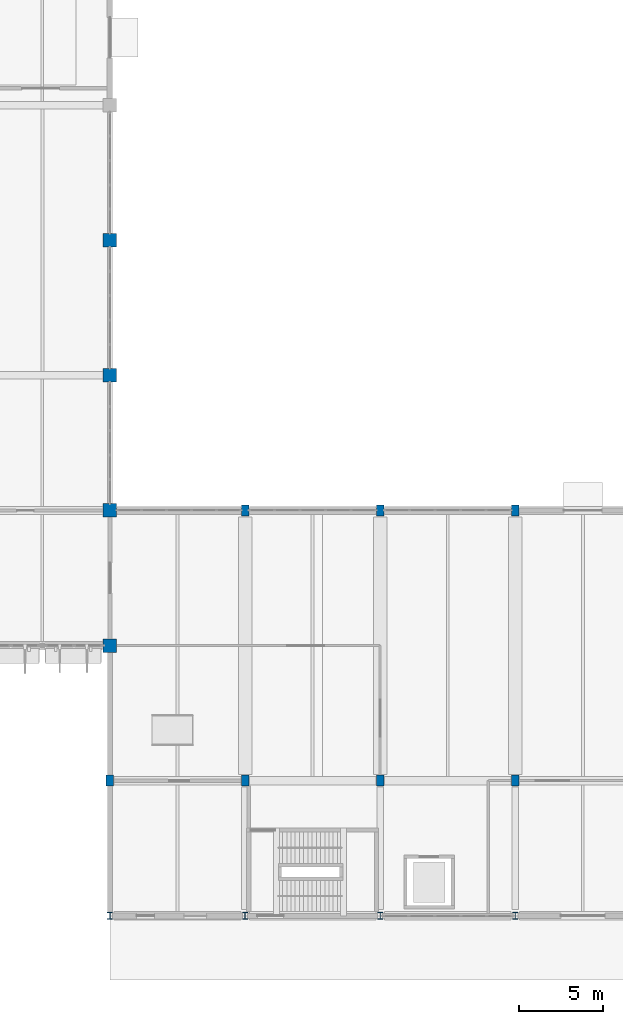
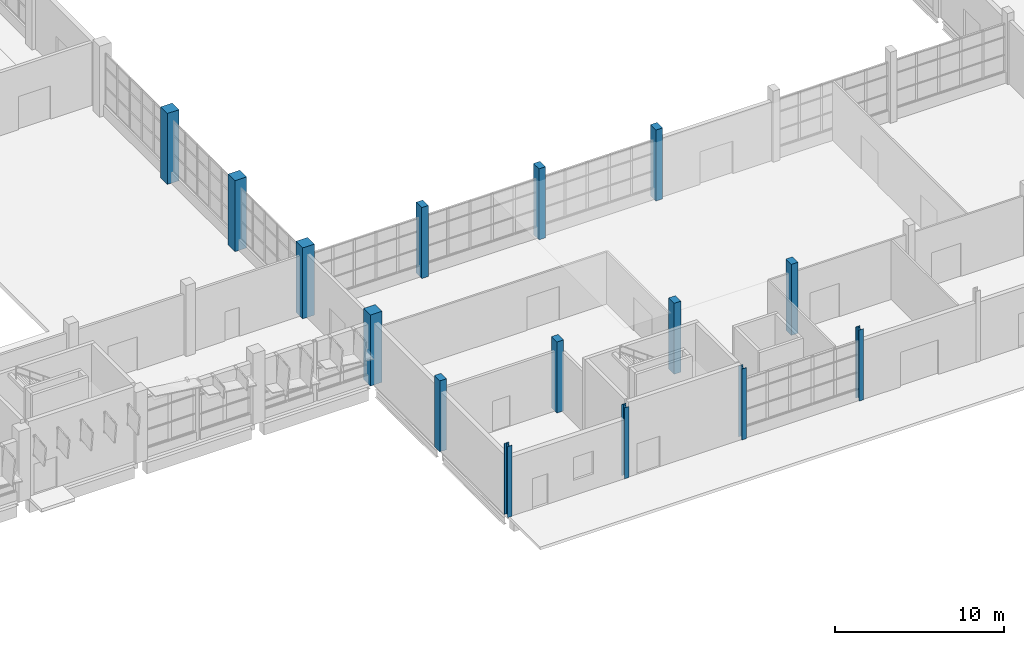
# One storey, part 5 of 103: 15 columns.
"""IFC4 building model written with IfcOpenShell, lengths in metres."""

from ifc_helpers import new_model, si_unit, direction, frame, origin, origin_2d, place, context, subcontext, project, spatial, rectangle, i_section, extrude, material, material_profile, profile_set, type_object, element, save


model = new_model("IFC4")

# Units and contexts
model_context = context("Model", 3, precision=1e-05, world=origin(), true_north=direction((0.0, 1.0)))
body_context = subcontext(model_context, "Body", "Model", "MODEL_VIEW")
ifc_project = project(units=[si_unit("LENGTHUNIT", "METRE"), si_unit("AREAUNIT", "SQUARE_METRE"), si_unit("VOLUMEUNIT", "CUBIC_METRE"), si_unit("PLANEANGLEUNIT", "RADIAN"), si_unit("MASSUNIT", "GRAM", prefix="KILO")], contexts=[model_context])

# Site, building, storey
site_placement = place(None, origin())
site = spatial("IfcSite", under=ifc_project, at=site_placement, CompositionType="ELEMENT")
building_placement = place(site_placement, origin())
building = spatial("IfcBuilding", under=site, at=building_placement, Name="Drelvana Railside Aquatics Centre", CompositionType="ELEMENT")
storey_placement = place(building_placement, origin())
storey = spatial("IfcBuildingStorey", under=building, at=storey_placement, Name="L00", CompositionType="ELEMENT", Elevation=0.0)

# Columns
ifc_material_1 = material(Name="Concrete C40/50", Category="concrete")
ifc_material_profile_1 = material_profile(ifc_material_1, rectangle(XDim=0.449951171875, YDim=0.64990234375, at=origin_2d()), Name="RC 450x650")
ifc_profile_set_1 = profile_set([ifc_material_profile_1], Name="Concrete C40/50")
column_type_1 = type_object("IfcColumnType", Name="STR-COL-RC-450x650", PredefinedType="COLUMN", material=ifc_profile_set_1)
for number, where, z_axis, x_axis, name in (
    (1, (96.0, 8.0, 0.0), (0.0, 0.0, 1.0), (1.0, 0.0, 0.0), "Column C-11 (L00)"),
    (2, (104.0, 8.0, 0.0), (0.0, 0.0, 1.0), (1.0, 0.0, 0.0), "Column C-11 (L00)"),
    (3, (104.0, 24.0, 0.0), (0.0, 0.0, 1.0), (1.0, 0.0, 0.0), "Column C-11 (L00)"),
    (4, (112.0, 8.0, 0.0), (0.0, 0.0, 1.0), (1.0, 0.0, 0.0), "Column C-11 (L00)"),
    (5, (112.0, 24.0, 0.0), (0.0, 0.0, 1.0), (1.0, 0.0, 0.0), "Column C-11 (L00)"),
    (6, (120.0, 8.0, 0.0), (0.0, 0.0, 1.0), (1.0, 0.0, 0.0), "Column C-11 (L00)"),
    (7, (120.0, 24.0, 0.0), (0.0, 0.0, 1.0), (1.0, 0.0, 0.0), "Column C-11 (L00)"),
):
    element("IfcColumn", number, at=place(storey_placement, frame(where, z_axis=z_axis, x_axis=x_axis)), inside=storey, type_object=column_type_1, Name=name, PredefinedType="COLUMN", context=body_context, shape_type="SweptSolid", body=[
        extrude(rectangle(XDim=0.449951171875, YDim=0.64990234375, at=origin_2d()), origin(), (0.0, 0.0, 1.0), 5.125),
    ])
ifc_material_profile_2 = material_profile(ifc_material_1, rectangle(XDim=0.800048828125, YDim=0.800048828125, at=origin_2d()), Name="RC 800x800")
ifc_profile_set_2 = profile_set([ifc_material_profile_2], Name="Concrete C40/50")
column_type_2 = type_object("IfcColumnType", Name="STR-COL-RC-800x800", PredefinedType="COLUMN", material=ifc_profile_set_2)
for number, where, z_axis, x_axis, name in (
    (8, (96.0, 16.0, 0.0), (0.0, 0.0, 1.0), (1.0, 0.0, 0.0), "Column C-08 (L00)"),
    (9, (96.0, 24.0, 0.0), (0.0, 0.0, 1.0), (1.0, 0.0, 0.0), "Column C-08 (L00)"),
    (10, (96.0, 32.0, 0.0), (0.0, 0.0, 1.0), (1.0, 0.0, 0.0), "Column C-08 (L00)"),
    (11, (96.0, 40.0, 0.0), (0.0, 0.0, 1.0), (1.0, 0.0, 0.0), "Column C-08 (L00)"),
):
    element("IfcColumn", number, at=place(storey_placement, frame(where, z_axis=z_axis, x_axis=x_axis)), inside=storey, type_object=column_type_2, Name=name, PredefinedType="COLUMN", context=body_context, shape_type="SweptSolid", body=[
        extrude(rectangle(XDim=0.800048828125, YDim=0.800048828125, at=origin_2d()), origin(), (0.0, 0.0, 1.0), 5.125),
    ])
ifc_material_2 = material(Name="Structural steel S355", Category="steel")
ifc_material_profile_3 = material_profile(ifc_material_2, i_section(OverallWidth=0.300048828125, OverallDepth=0.39990234375, WebThickness=0.013427734375, FlangeThickness=0.02392578125, at=origin_2d()), Name="HEB 400")
ifc_profile_set_3 = profile_set([ifc_material_profile_3], Name="Structural steel S355")
column_type_3 = type_object("IfcColumnType", Name="STR-SCOL-HEB-400", PredefinedType="COLUMN", material=ifc_profile_set_3)
for number, where, z_axis, x_axis, name in (
    (12, (96.0, 0.0, 0.0), (0.0, 0.0, 1.0), (1.0, 0.0, 0.0), "Column SC-03 (L00)"),
    (13, (104.0, 0.0, 0.0), (0.0, 0.0, 1.0), (1.0, 0.0, 0.0), "Column SC-03 (L00)"),
    (14, (112.0, 0.0, 0.0), (0.0, 0.0, 1.0), (1.0, 0.0, 0.0), "Column SC-03 (L00)"),
    (15, (120.0, 0.0, 0.0), (0.0, 0.0, 1.0), (1.0, 0.0, 0.0), "Column SC-03 (L00)"),
):
    element("IfcColumn", number, at=place(storey_placement, frame(where, z_axis=z_axis, x_axis=x_axis)), inside=storey, type_object=column_type_3, Name=name, PredefinedType="COLUMN", context=body_context, shape_type="SweptSolid", body=[
        extrude(i_section(OverallWidth=0.300048828125, OverallDepth=0.39990234375, WebThickness=0.013427734375, FlangeThickness=0.02392578125, at=origin_2d()), origin(), (0.0, 0.0, 1.0), 5.125),
    ])

save(model, "model.ifc")
